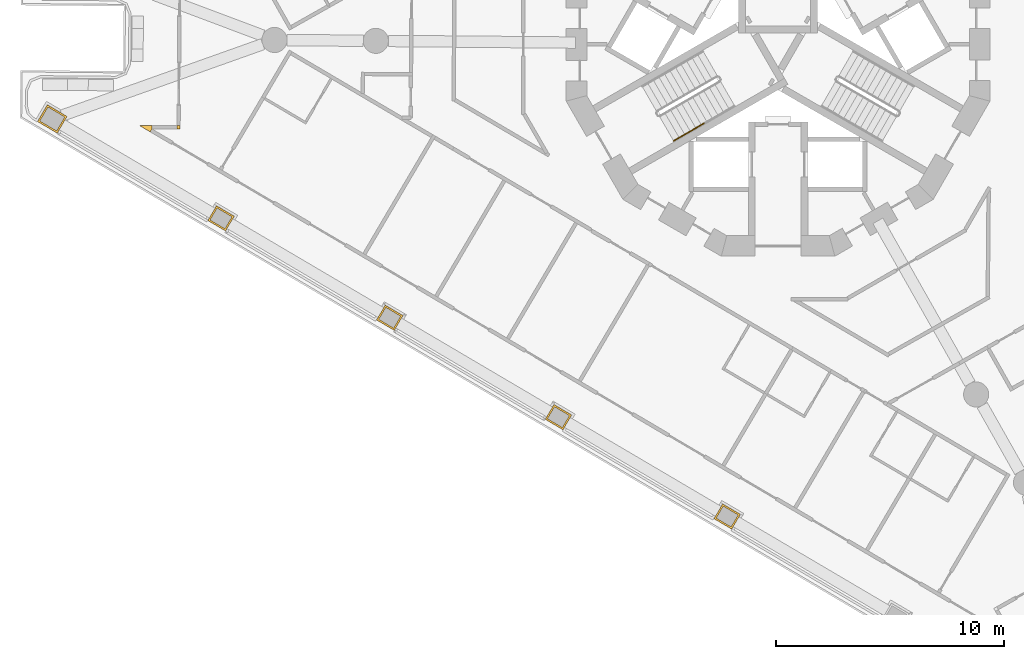
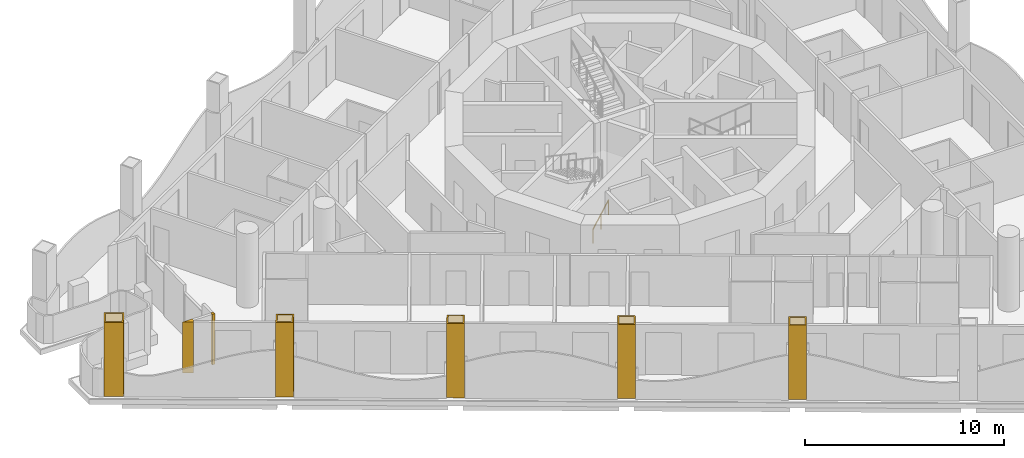
# One storey, part 11 of 17: 7 coverings, 1 railing.
"""IFC4 building model written with IfcOpenShell, lengths in metres."""

from ifc_helpers import new_model, si_unit, direction, frame, origin, origin_2d, place, context, subcontext, project, spatial, polyline, circle, outline, extrude, material, layer, layer_set, type_object, element, save


model = new_model("IFC4")

# Units and contexts
model_context = context("Model", 3, precision=1e-05, world=origin(), true_north=direction((0.0, 1.0)))
body_context = subcontext(model_context, "Body", "Model", "MODEL_VIEW")
ifc_project = project(units=[si_unit("LENGTHUNIT", "METRE"), si_unit("AREAUNIT", "SQUARE_METRE"), si_unit("VOLUMEUNIT", "CUBIC_METRE"), si_unit("PLANEANGLEUNIT", "RADIAN"), si_unit("MASSUNIT", "GRAM", prefix="KILO")], contexts=[model_context])

# Site, building, storey
site_placement = place(None, origin())
site = spatial("IfcSite", under=ifc_project, at=site_placement, CompositionType="ELEMENT")
building_placement = place(site_placement, origin())
building = spatial("IfcBuilding", under=site, at=building_placement, Name="Trine Commons Tower", CompositionType="ELEMENT")
storey_placement = place(building_placement, frame((0.0, 0.0, 189.89990234375)))
storey = spatial("IfcBuildingStorey", under=building, at=storey_placement, Name="L49", CompositionType="ELEMENT", Elevation=189.89990234375)

# Coverings
ifc_material_1 = material(Name="Aluminium-framed insulated wall panel", Category="aluminium")
ifc_layer_1 = layer(ifc_material_1, 0.14990234375)
ifc_layer_set_1 = layer_set([ifc_layer_1], Name="Aluminium-framed insulated wall panel")
covering_type_1 = type_object("IfcCoveringType", Name="Glazing corner post, aluminium", PredefinedType="CLADDING", material=ifc_layer_set_1)
covering_1_placement = place(storey_placement, origin())
element("IfcCovering", 1, at=covering_1_placement, inside=storey, type_object=covering_type_1, Name="Glazing corner post 5-01", PredefinedType="CLADDING", context=body_context, shape_type="SweptSolid", body=[
    extrude(outline(polyline([(52.519775390625, 58.669921875), (52.595947265625, 58.799072265625), (52.59716796875, 58.948974609375), (52.037353515625, 58.953857421875), (52.519775390625, 58.669921875)])), origin(), (0.0, 0.0, 1.0), 3.10009765625),
])
covering_2_placement = place(storey_placement, origin())
element("IfcCovering", 2, at=covering_2_placement, inside=storey, type_object=covering_type_1, Name="Glazing corner post 5-02", PredefinedType="CLADDING", context=body_context, shape_type="SweptSolid", body=[
    extrude(outline(polyline([(53.681640625, 58.78955078125), (53.83154296875, 58.7880859375), (53.8330078125, 58.938232421875), (53.682861328125, 58.939453125), (53.681640625, 58.78955078125)])), origin(), (0.0, 0.0, 1.0), 3.10009765625),
])
ifc_material_2 = material(Name="Limestone, honed", Category="masonry")
ifc_layer_2 = layer(ifc_material_2, 0.074951171875)
ifc_layer_set_2 = layer_set([ifc_layer_2], Name="Limestone, honed")
covering_type_2 = type_object("IfcCoveringType", Name="Limestone column cladding 75", PredefinedType="CLADDING", material=ifc_layer_set_2)
covering_3_placement = place(storey_placement, origin())
element("IfcCovering", 3, at=covering_3_placement, inside=storey, type_object=covering_type_2, Name="Limestone pier cladding 5-03", PredefinedType="CLADDING", context=body_context, shape_type="SweptSolid", body=[
    extrude(outline(polyline([(77.57568359375, 42.384521484375), (77.195068359375, 41.73828125), (77.970703125, 41.281494140625), (78.351318359375, 41.927734375), (77.57568359375, 42.384521484375)]), holes=[polyline([(77.602294921875, 42.28173828125), (77.2978515625, 41.764892578125), (77.944091796875, 41.38427734375), (78.24853515625, 41.901123046875), (77.602294921875, 42.28173828125)])]), origin(), (0.0, 0.0, 1.0), 4.54931640625),
])
covering_4_placement = place(storey_placement, origin())
element("IfcCovering", 4, at=covering_4_placement, inside=storey, type_object=covering_type_2, Name="Limestone pier cladding 5-04", PredefinedType="CLADDING", context=body_context, shape_type="SweptSolid", body=[
    extrude(outline(polyline([(70.191162109375, 46.734375), (69.810302734375, 46.088134765625), (70.5859375, 45.63134765625), (70.966552734375, 46.277587890625), (70.191162109375, 46.734375)]), holes=[polyline([(70.2177734375, 46.631591796875), (69.9130859375, 46.11474609375), (70.559326171875, 45.734130859375), (70.864013671875, 46.251220703125), (70.2177734375, 46.631591796875)])]), origin(), (0.0, 0.0, 1.0), 4.54931640625),
])
covering_5_placement = place(storey_placement, origin())
element("IfcCovering", 5, at=covering_5_placement, inside=storey, type_object=covering_type_2, Name="Limestone pier cladding 5-05", PredefinedType="CLADDING", context=body_context, shape_type="SweptSolid", body=[
    extrude(outline(polyline([(62.806396484375, 51.084228515625), (62.42578125, 50.43798828125), (63.201171875, 49.981201171875), (63.581787109375, 50.62744140625), (62.806396484375, 51.084228515625)]), holes=[polyline([(62.8330078125, 50.981689453125), (62.5283203125, 50.464599609375), (63.174560546875, 50.083984375), (63.479248046875, 50.60107421875), (62.8330078125, 50.981689453125)])]), origin(), (0.0, 0.0, 1.0), 4.54931640625),
])
covering_6_placement = place(storey_placement, origin())
element("IfcCovering", 6, at=covering_6_placement, inside=storey, type_object=covering_type_2, Name="Limestone pier cladding 5-06", PredefinedType="CLADDING", context=body_context, shape_type="SweptSolid", body=[
    extrude(outline(polyline([(55.421630859375, 55.43408203125), (55.041015625, 54.7880859375), (55.81640625, 54.331298828125), (56.197265625, 54.977294921875), (55.421630859375, 55.43408203125)]), holes=[polyline([(55.4482421875, 55.33154296875), (55.143798828125, 54.814453125), (55.789794921875, 54.433837890625), (56.094482421875, 54.950927734375), (55.4482421875, 55.33154296875)])]), origin(), (0.0, 0.0, 1.0), 4.54931640625),
])
covering_7_placement = place(storey_placement, origin())
element("IfcCovering", 7, at=covering_7_placement, inside=storey, type_object=covering_type_2, Name="Limestone pier cladding 5-07", PredefinedType="CLADDING", context=body_context, shape_type="SweptSolid", body=[
    extrude(outline(polyline([(48.019287109375, 59.8525390625), (47.587890625, 59.1201171875), (48.449462890625, 58.612548828125), (48.880859375, 59.344970703125), (48.019287109375, 59.8525390625)]), holes=[polyline([(48.0458984375, 59.75), (47.690673828125, 59.146728515625), (48.423095703125, 58.71533203125), (48.7783203125, 59.318603515625), (48.0458984375, 59.75)])]), origin(), (0.0, 0.0, 1.0), 4.54931640625),
])

# Railing
ifc_material_3 = material(Name="Stainless steel handrail", Category="steel")
railing_type = type_object("IfcRailingType", Name="Stair handrail, steel 900", PredefinedType="HANDRAIL", material=ifc_material_3)
railing_placement = place(storey_placement, frame((75.43017578125, 58.27392578125, 0.150146484375)))
element("IfcRailing", 8, at=railing_placement, inside=storey, type_object=railing_type, Name="L49 ST2B stair handrail 1", PredefinedType="HANDRAIL", context=body_context, shape_type="SweptSolid", body=[
    extrude(circle(Radius=0.02099609375, at=origin_2d()), frame((0.0, 0.0, 0.87890625), z_axis=(0.76340495495, 0.440743040072, 0.472184759798), x_axis=(-0.499992328818, 0.866029832698, 0.0)), (0.0, 0.0, 1.0), 1.7470703125),
    extrude(circle(Radius=0.01513671875, at=origin_2d()), origin(), (0.0, 0.0, 1.0), 0.85791015625),
    extrude(circle(Radius=0.01513671875, at=origin_2d()), frame((0.6669921875, 0.385009765625, 0.41259765625)), (0.0, 0.0, 1.0), 0.85791015625),
    extrude(circle(Radius=0.01513671875, at=origin_2d()), frame((1.333740234375, 0.77001953125, 0.824951171875)), (0.0, 0.0, 1.0), 0.85791015625),
])

save(model, "model.ifc")
